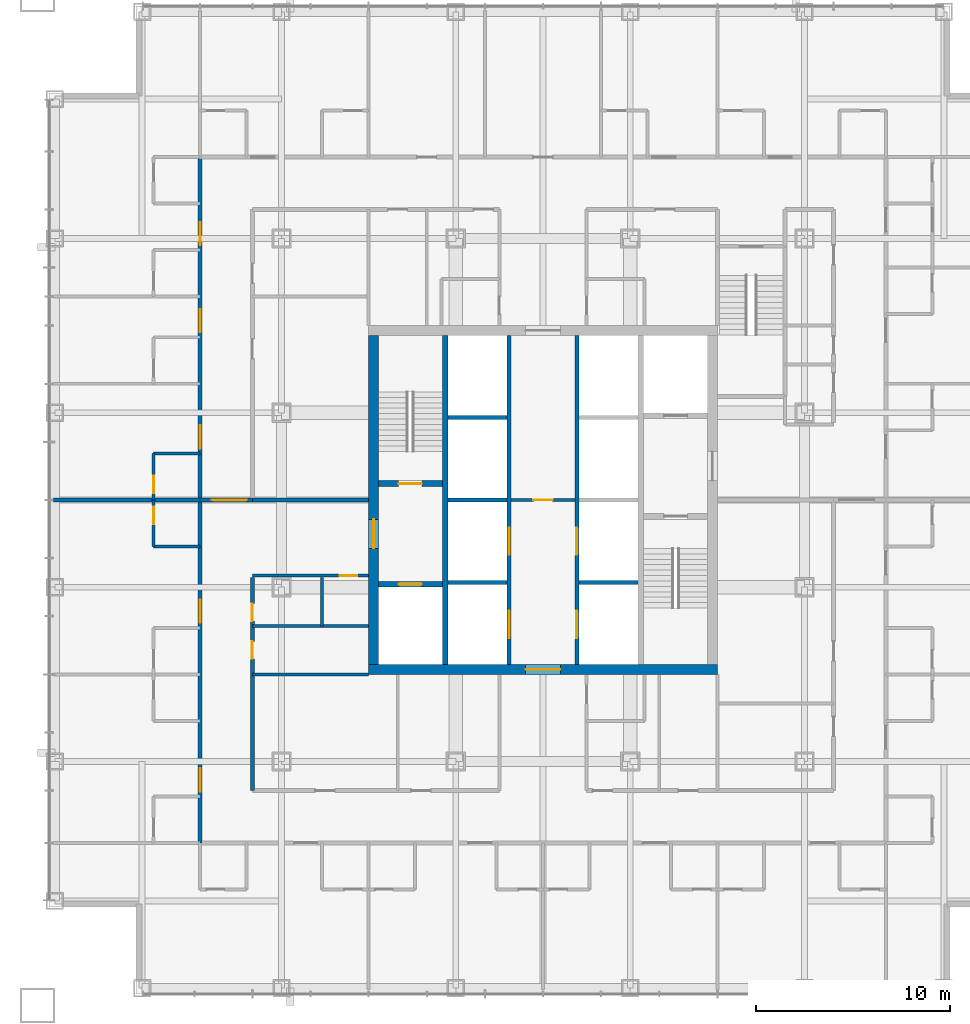
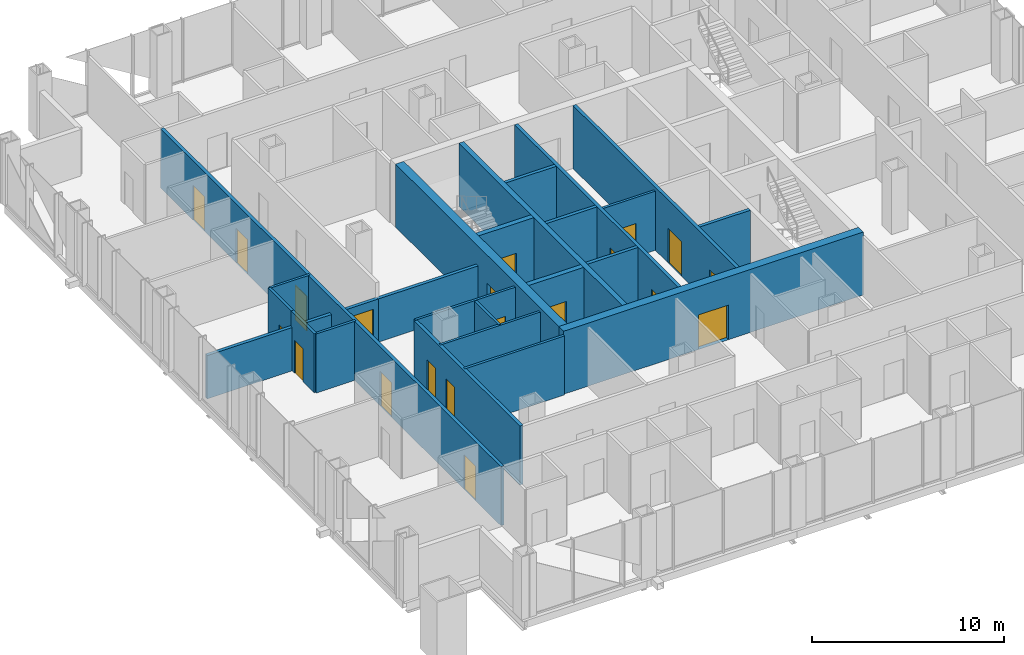
# One storey, part 8 of 13: 25 walls, 20 doors, 20 openings.
"""IFC4 building model written with IfcOpenShell, lengths in metres."""

from ifc_helpers import new_model, si_unit, direction, frame, frame_2d, origin, place, context, subcontext, project, spatial, rectangle, extrude, material, layer, layer_set, type_object, element, fill, save


model = new_model("IFC4")

# Units and contexts
model_context = context("Model", 3, precision=1e-05, world=origin(), true_north=direction((0.0, 1.0)))
body_context = subcontext(model_context, "Body", "Model", "MODEL_VIEW")
ifc_project = project(units=[si_unit("LENGTHUNIT", "METRE"), si_unit("AREAUNIT", "SQUARE_METRE"), si_unit("VOLUMEUNIT", "CUBIC_METRE"), si_unit("PLANEANGLEUNIT", "RADIAN"), si_unit("MASSUNIT", "GRAM", prefix="KILO")], contexts=[model_context])

# Site, building, storey
site_placement = place(None, origin())
site = spatial("IfcSite", under=ifc_project, at=site_placement, CompositionType="ELEMENT")
building_placement = place(site_placement, origin())
building = spatial("IfcBuilding", under=site, at=building_placement, Name="Malebo Sky Hospital", CompositionType="ELEMENT")
storey_placement = place(building_placement, frame((0.0, 0.0, 87.0)))
storey = spatial("IfcBuildingStorey", under=building, at=storey_placement, Name="L20", CompositionType="ELEMENT", Elevation=87.0)

# Wall, openings, doors
ifc_material_1 = material(Name="Concrete C80/95", Category="concrete")
ifc_layer_1 = layer(ifc_material_1, 0.199951171875)
ifc_layer_set_1 = layer_set([ifc_layer_1], Name="CORE INNER WALL 200")
wall_type_1 = type_object("IfcWallType", Name="CORE INNER WALL 200", PredefinedType="SHEAR", material=ifc_layer_set_1)
wall_1_placement = place(storey_placement, frame((58.25, 53.5, 0.0), z_axis=(0.0, 0.0, 1.0), x_axis=(0.0, 1.0, 0.0)))
wall_1 = element("IfcWall", 1, at=wall_1_placement, inside=storey, type_object=wall_type_1, Name="Core wall LW L20", PredefinedType="SHEAR", context=body_context, shape_type="SweptSolid", body=[
    extrude(rectangle(XDim=17.0, YDim=0.199951171875, at=frame_2d((8.5, 0.0))), origin(), (0.0, 0.0, 1.0), 4.0),
])
opening_1_placement = place(wall_1_placement, frame((1.375, 0.0, 0.0)))
opening_1 = element("IfcOpeningElement", 2, at=opening_1_placement, cuts=wall_1, Name="Opening LD1", PredefinedType="OPENING", context=body_context, shape_type="SweptSolid", body=[
    extrude(rectangle(XDim=1.39990234375, YDim=2.199951171875, at=frame_2d((0.699951171875, 1.10009765625))), frame((0.0, 0.10986328125, 0.0), z_axis=(0.0, -1.0, 0.0), x_axis=(1.0, 0.0, 0.0)), (0.0, 0.0, 1.0), 0.219970703125),
])
opening_2_placement = place(wall_1_placement, frame((5.675048828125, 0.0, 0.0)))
opening_2 = element("IfcOpeningElement", 3, at=opening_2_placement, cuts=wall_1, Name="Opening LD1", PredefinedType="OPENING", context=body_context, shape_type="SweptSolid", body=[
    extrude(rectangle(XDim=1.39990234375, YDim=2.199951171875, at=frame_2d((0.699951171875, 1.10009765625))), frame((0.0, 0.10986328125, 0.0), z_axis=(0.0, -1.0, 0.0), x_axis=(1.0, 0.0, 0.0)), (0.0, 0.0, 1.0), 0.219970703125),
])
ifc_material_2 = material(Name="Stainless steel sliding landing door", Category="steel")
door_type_1 = type_object("IfcDoorType", Name="LIFT LANDING DOOR 1400", OperationType="SLIDING_TO_LEFT", PredefinedType="DOOR", material=ifc_material_2)
door_1_placement = place(opening_1_placement, origin())
door_1 = element("IfcDoor", 4, at=door_1_placement, inside=storey, type_object=door_type_1, Name="Lift W1 landing door", OperationType="SLIDING_TO_LEFT", OverallHeight=2.199951171875, OverallWidth=1.39990234375, PredefinedType="DOOR", context=body_context, shape_type="SweptSolid", body=[
    extrude(rectangle(XDim=1.39990234375, YDim=2.199951171875, at=frame_2d((0.699951171875, 1.10009765625))), frame((0.0, 0.02490234375, 0.0), z_axis=(0.0, -1.0, 0.0), x_axis=(1.0, 0.0, 0.0)), (0.0, 0.0, 1.0), 0.050048828125),
])
fill(opening_1, door_1)
door_2_placement = place(opening_2_placement, origin())
door_2 = element("IfcDoor", 5, at=door_2_placement, inside=storey, type_object=door_type_1, Name="Lift W2 landing door", OperationType="SLIDING_TO_LEFT", OverallHeight=2.199951171875, OverallWidth=1.39990234375, PredefinedType="DOOR", context=body_context, shape_type="SweptSolid", body=[
    extrude(rectangle(XDim=1.39990234375, YDim=2.199951171875, at=frame_2d((0.699951171875, 1.10009765625))), frame((0.0, 0.02490234375, 0.0), z_axis=(0.0, -1.0, 0.0), x_axis=(1.0, 0.0, 0.0)), (0.0, 0.0, 1.0), 0.050048828125),
])
fill(opening_2, door_2)

wall_2_placement = place(storey_placement, frame((61.75, 53.5, 0.0), z_axis=(0.0, 0.0, 1.0), x_axis=(0.0, 1.0, 0.0)))
wall_2 = element("IfcWall", 6, at=wall_2_placement, inside=storey, type_object=wall_type_1, Name="Core wall LE L20", PredefinedType="SHEAR", context=body_context, shape_type="SweptSolid", body=[
    extrude(rectangle(XDim=17.0, YDim=0.199951171875, at=frame_2d((8.5, 0.0))), origin(), (0.0, 0.0, 1.0), 4.0),
])
opening_3_placement = place(wall_2_placement, frame((1.375, 0.0, 0.0)))
opening_3 = element("IfcOpeningElement", 7, at=opening_3_placement, cuts=wall_2, Name="Opening LD1", PredefinedType="OPENING", context=body_context, shape_type="SweptSolid", body=[
    extrude(rectangle(XDim=1.39990234375, YDim=2.199951171875, at=frame_2d((0.699951171875, 1.10009765625))), frame((0.0, 0.10986328125, 0.0), z_axis=(0.0, -1.0, 0.0), x_axis=(1.0, 0.0, 0.0)), (0.0, 0.0, 1.0), 0.219970703125),
])
opening_4_placement = place(wall_2_placement, frame((5.675048828125, 0.0, 0.0)))
opening_4 = element("IfcOpeningElement", 8, at=opening_4_placement, cuts=wall_2, Name="Opening LD1", PredefinedType="OPENING", context=body_context, shape_type="SweptSolid", body=[
    extrude(rectangle(XDim=1.39990234375, YDim=2.199951171875, at=frame_2d((0.699951171875, 1.10009765625))), frame((0.0, 0.10986328125, 0.0), z_axis=(0.0, -1.0, 0.0), x_axis=(1.0, 0.0, 0.0)), (0.0, 0.0, 1.0), 0.219970703125),
])
door_3_placement = place(opening_3_placement, origin())
door_3 = element("IfcDoor", 9, at=door_3_placement, inside=storey, type_object=door_type_1, Name="Lift E1 landing door", OperationType="SLIDING_TO_LEFT", OverallHeight=2.199951171875, OverallWidth=1.39990234375, PredefinedType="DOOR", context=body_context, shape_type="SweptSolid", body=[
    extrude(rectangle(XDim=1.39990234375, YDim=2.199951171875, at=frame_2d((0.699951171875, 1.10009765625))), frame((0.0, 0.02490234375, 0.0), z_axis=(0.0, -1.0, 0.0), x_axis=(1.0, 0.0, 0.0)), (0.0, 0.0, 1.0), 0.050048828125),
])
fill(opening_3, door_3)
door_4_placement = place(opening_4_placement, origin())
door_4 = element("IfcDoor", 10, at=door_4_placement, inside=storey, type_object=door_type_1, Name="Lift E2 landing door", OperationType="SLIDING_TO_LEFT", OverallHeight=2.199951171875, OverallWidth=1.39990234375, PredefinedType="DOOR", context=body_context, shape_type="SweptSolid", body=[
    extrude(rectangle(XDim=1.39990234375, YDim=2.199951171875, at=frame_2d((0.699951171875, 1.10009765625))), frame((0.0, 0.02490234375, 0.0), z_axis=(0.0, -1.0, 0.0), x_axis=(1.0, 0.0, 0.0)), (0.0, 0.0, 1.0), 0.050048828125),
])
fill(opening_4, door_4)

# Walls
for number, where, z_axis, x_axis, name in (
    (11, (55.10009765625, 57.75, 0.0), (0.0, 0.0, 1.0), (1.0, 0.0, 0.0), "Core wall SW0 L20"),
    (12, (61.85009765625, 57.75, 0.0), (0.0, 0.0, 1.0), (1.0, 0.0, 0.0), "Core wall SE0 L20"),
    (13, (55.10009765625, 62.0, 0.0), (0.0, 0.0, 1.0), (1.0, 0.0, 0.0), "Core wall SW1 L20"),
    (14, (55.10009765625, 66.25, 0.0), (0.0, 0.0, 1.0), (1.0, 0.0, 0.0), "Core wall SW2 L20"),
):
    element("IfcWall", number, at=place(storey_placement, frame(where, z_axis=z_axis, x_axis=x_axis)), inside=storey, type_object=wall_type_1, Name=name, PredefinedType="SHEAR", context=body_context, shape_type="SweptSolid", body=[
        extrude(rectangle(XDim=3.0498046875, YDim=0.199951171875, at=frame_2d((1.52490234375, 0.0))), origin(), (0.0, 0.0, 1.0), 4.0),
    ])
ifc_layer_2 = layer(ifc_material_1, 0.300048828125)
ifc_layer_set_2 = layer_set([ifc_layer_2], Name="CORE INNER WALL 300")
wall_type_2 = type_object("IfcWallType", Name="CORE INNER WALL 300", PredefinedType="SHEAR", material=ifc_layer_set_2)
wall_3_placement = place(storey_placement, frame((54.949951171875, 53.5, 0.0), z_axis=(0.0, 0.0, 1.0), x_axis=(0.0, 1.0, 0.0)))
element("IfcWall", 15, at=wall_3_placement, inside=storey, type_object=wall_type_2, Name="Core wall XW L20", PredefinedType="SHEAR", context=body_context, shape_type="SweptSolid", body=[
    extrude(rectangle(XDim=17.0, YDim=0.300048828125, at=frame_2d((8.5, 0.0))), origin(), (0.0, 0.0, 1.0), 4.0),
])

# Wall, opening, door
wall_4_placement = place(storey_placement, frame((51.5, 62.85009765625, 0.0), z_axis=(0.0, 0.0, 1.0), x_axis=(1.0, 0.0, 0.0)))
wall_4 = element("IfcWall", 16, at=wall_4_placement, inside=storey, type_object=wall_type_2, Name="Core wall W1 L20", PredefinedType="SHEAR", context=body_context, shape_type="SweptSolid", body=[
    extrude(rectangle(XDim=3.300048828125, YDim=0.300048828125, at=frame_2d((1.64990234375, 0.0))), origin(), (0.0, 0.0, 1.0), 4.0),
])
opening_5_placement = place(wall_4_placement, frame((1.050048828125, 0.0, 0.0)))
opening_5 = element("IfcOpeningElement", 17, at=opening_5_placement, cuts=wall_4, Name="Opening D08", PredefinedType="OPENING", context=body_context, shape_type="SweptSolid", body=[
    extrude(rectangle(XDim=1.199951171875, YDim=2.10009765625, at=frame_2d((0.60009765625, 1.050048828125))), frame((0.0, 0.159912109375, 0.0), z_axis=(0.0, -1.0, 0.0), x_axis=(1.0, 0.0, 0.0)), (0.0, 0.0, 1.0), 0.320068359375),
])
ifc_material_3 = material(Name="Hardwood-faced door leaf in steel frame", Category="steel")
door_type_2 = type_object("IfcDoorType", Name="STAIR DOOR 1200", OperationType="SINGLE_SWING_LEFT", PredefinedType="DOOR", material=ifc_material_3)
door_5_placement = place(opening_5_placement, origin())
door_5 = element("IfcDoor", 18, at=door_5_placement, inside=storey, type_object=door_type_2, Name="Stair S1 door", OperationType="SINGLE_SWING_LEFT", OverallHeight=2.10009765625, OverallWidth=1.199951171875, PredefinedType="DOOR", context=body_context, shape_type="SweptSolid", body=[
    extrude(rectangle(XDim=1.199951171875, YDim=2.10009765625, at=frame_2d((0.60009765625, 1.050048828125))), frame((0.0, 0.02490234375, 0.0), z_axis=(0.0, -1.0, 0.0), x_axis=(1.0, 0.0, 0.0)), (0.0, 0.0, 1.0), 0.050048828125),
])
fill(opening_5, door_5)

wall_5_placement = place(storey_placement, frame((51.5, 57.64990234375, 0.0), z_axis=(0.0, 0.0, 1.0), x_axis=(1.0, 0.0, 0.0)))
wall_5 = element("IfcWall", 19, at=wall_5_placement, inside=storey, type_object=wall_type_2, Name="Core wall W2 L20", PredefinedType="SHEAR", context=body_context, shape_type="SweptSolid", body=[
    extrude(rectangle(XDim=3.300048828125, YDim=0.300048828125, at=frame_2d((1.64990234375, 0.0))), origin(), (0.0, 0.0, 1.0), 4.0),
])
opening_6_placement = place(wall_5_placement, frame((1.050048828125, 0.0, 0.0)))
opening_6 = element("IfcOpeningElement", 20, at=opening_6_placement, cuts=wall_5, Name="Opening LD2", PredefinedType="OPENING", context=body_context, shape_type="SweptSolid", body=[
    extrude(rectangle(XDim=1.199951171875, YDim=2.199951171875, at=frame_2d((0.60009765625, 1.10009765625))), frame((0.0, 0.159912109375, 0.0), z_axis=(0.0, -1.0, 0.0), x_axis=(1.0, 0.0, 0.0)), (0.0, 0.0, 1.0), 0.320068359375),
])
door_type_3 = type_object("IfcDoorType", Name="FIRE-FIGHTING LIFT LANDING DOOR 1200", OperationType="SLIDING_TO_LEFT", PredefinedType="DOOR", material=ifc_material_2)
door_6_placement = place(opening_6_placement, origin())
door_6 = element("IfcDoor", 21, at=door_6_placement, inside=storey, type_object=door_type_3, Name="Lift FL1 landing door", OperationType="SLIDING_TO_LEFT", OverallHeight=2.199951171875, OverallWidth=1.199951171875, PredefinedType="DOOR", context=body_context, shape_type="SweptSolid", body=[
    extrude(rectangle(XDim=1.199951171875, YDim=2.199951171875, at=frame_2d((0.60009765625, 1.10009765625))), frame((0.0, 0.02490234375, 0.0), z_axis=(0.0, -1.0, 0.0), x_axis=(1.0, 0.0, 0.0)), (0.0, 0.0, 1.0), 0.050048828125),
])
fill(opening_6, door_6)

ifc_layer_3 = layer(ifc_material_1, 0.5)
ifc_layer_set_3 = layer_set([ifc_layer_3], Name="CORE WALL 500")
wall_type_3 = type_object("IfcWallType", Name="CORE WALL 500", PredefinedType="SHEAR", material=ifc_layer_set_3)
wall_6_placement = place(storey_placement, frame((51.0, 53.25, 0.0), z_axis=(0.0, 0.0, 1.0), x_axis=(1.0, 0.0, 0.0)))
wall_6 = element("IfcWall", 22, at=wall_6_placement, inside=storey, type_object=wall_type_3, Name="Core wall S L20", PredefinedType="SHEAR", context=body_context, shape_type="SweptSolid", body=[
    extrude(rectangle(XDim=18.0, YDim=0.5, at=frame_2d((9.0, 0.0))), origin(), (0.0, 0.0, 1.0), 4.0),
])
opening_7_placement = place(wall_6_placement, frame((8.10009765625, 0.0, 0.0)))
opening_7 = element("IfcOpeningElement", 23, at=opening_7_placement, cuts=wall_6, Name="Opening D06", PredefinedType="OPENING", context=body_context, shape_type="SweptSolid", body=[
    extrude(rectangle(XDim=1.800048828125, YDim=2.199951171875, at=frame_2d((0.89990234375, 1.10009765625))), frame((0.0, 0.260009765625, 0.0), z_axis=(0.0, -1.0, 0.0), x_axis=(1.0, 0.0, 0.0)), (0.0, 0.0, 1.0), 0.52001953125),
])
door_type_4 = type_object("IfcDoorType", Name="LOBBY DOOR PAIR 1800", OperationType="DOUBLE_DOOR_SINGLE_SWING", PredefinedType="DOOR", material=ifc_material_3)
door_7_placement = place(opening_7_placement, origin())
door_7 = element("IfcDoor", 24, at=door_7_placement, inside=storey, type_object=door_type_4, Name="Lift lobby door south", OperationType="DOUBLE_DOOR_SINGLE_SWING", OverallHeight=2.199951171875, OverallWidth=1.800048828125, PredefinedType="DOOR", context=body_context, shape_type="SweptSolid", body=[
    extrude(rectangle(XDim=1.800048828125, YDim=2.199951171875, at=frame_2d((0.89990234375, 1.10009765625))), frame((0.0, 0.02490234375, 0.0), z_axis=(0.0, -1.0, 0.0), x_axis=(1.0, 0.0, 0.0)), (0.0, 0.0, 1.0), 0.050048828125),
])
fill(opening_7, door_7)

wall_7_placement = place(storey_placement, frame((51.25, 53.5, 0.0), z_axis=(0.0, 0.0, 1.0), x_axis=(0.0, 1.0, 0.0)))
wall_7 = element("IfcWall", 25, at=wall_7_placement, inside=storey, type_object=wall_type_3, Name="Core wall W L20", PredefinedType="SHEAR", context=body_context, shape_type="SweptSolid", body=[
    extrude(rectangle(XDim=17.0, YDim=0.5, at=frame_2d((8.5, 0.0))), origin(), (0.0, 0.0, 1.0), 4.0),
])
opening_8_placement = place(wall_7_placement, frame((6.0, 0.0, 0.0)))
opening_8 = element("IfcOpeningElement", 26, at=opening_8_placement, cuts=wall_7, Name="Opening D07", PredefinedType="OPENING", context=body_context, shape_type="SweptSolid", body=[
    extrude(rectangle(XDim=1.5, YDim=2.199951171875, at=frame_2d((0.75, 1.10009765625))), frame((0.0, 0.260009765625, 0.0), z_axis=(0.0, -1.0, 0.0), x_axis=(1.0, 0.0, 0.0)), (0.0, 0.0, 1.0), 0.52001953125),
])
door_type_5 = type_object("IfcDoorType", Name="FIRE-FIGHTING LOBBY DOOR PAIR 1500", OperationType="DOUBLE_DOOR_SINGLE_SWING", PredefinedType="DOOR", material=ifc_material_3)
door_8_placement = place(opening_8_placement, origin())
door_8 = element("IfcDoor", 27, at=door_8_placement, inside=storey, type_object=door_type_5, Name="Fire-fighting lobby door west", OperationType="DOUBLE_DOOR_SINGLE_SWING", OverallHeight=2.199951171875, OverallWidth=1.5, PredefinedType="DOOR", context=body_context, shape_type="SweptSolid", body=[
    extrude(rectangle(XDim=1.5, YDim=2.199951171875, at=frame_2d((0.75, 1.10009765625))), frame((0.0, 0.02490234375, 0.0), z_axis=(0.0, -1.0, 0.0), x_axis=(1.0, 0.0, 0.0)), (0.0, 0.0, 1.0), 0.050048828125),
])
fill(opening_8, door_8)

# Wall, openings, doors
ifc_material_4 = material(Name="Gypsum board on steel studs", Category="steel")
ifc_layer_4 = layer(ifc_material_4, 0.199951171875)
ifc_layer_set_4 = layer_set([ifc_layer_4], Name="CORRIDOR WALL 200")
wall_type_4 = type_object("IfcWallType", Name="CORRIDOR WALL 200", PredefinedType="PARTITIONING", material=ifc_layer_set_4)
wall_8_placement = place(storey_placement, frame((42.300048828125, 44.300048828125, 0.0), z_axis=(0.0, 0.0, 1.0), x_axis=(0.0, 1.0, 0.0)))
wall_8 = element("IfcWall", 28, at=wall_8_placement, inside=storey, type_object=wall_type_4, Name="Corridor Wall 200 WCO", PredefinedType="PARTITIONING", context=body_context, shape_type="SweptSolid", body=[
    extrude(rectangle(XDim=35.39990234375, YDim=0.199951171875, at=frame_2d((17.699951171875, 0.0))), origin(), (0.0, 0.0, 1.0), 3.75),
])
opening_9_placement = place(wall_8_placement, frame((2.64990234375, 0.0, 0.0)))
opening_9 = element("IfcOpeningElement", 29, at=opening_9_placement, cuts=wall_8, Name="Opening D01", PredefinedType="OPENING", context=body_context, shape_type="SweptSolid", body=[
    extrude(rectangle(XDim=1.199951171875, YDim=2.199951171875, at=frame_2d((0.60009765625, 1.10009765625))), frame((0.0, 0.10986328125, 0.0), z_axis=(0.0, -1.0, 0.0), x_axis=(1.0, 0.0, 0.0)), (0.0, 0.0, 1.0), 0.219970703125),
])
opening_10_placement = place(wall_8_placement, frame((11.35009765625, 0.0, 0.0)))
opening_10 = element("IfcOpeningElement", 30, at=opening_10_placement, cuts=wall_8, Name="Opening D01", PredefinedType="OPENING", context=body_context, shape_type="SweptSolid", body=[
    extrude(rectangle(XDim=1.199951171875, YDim=2.199951171875, at=frame_2d((0.60009765625, 1.10009765625))), frame((0.0, 0.10986328125, 0.0), z_axis=(0.0, -1.0, 0.0), x_axis=(1.0, 0.0, 0.0)), (0.0, 0.0, 1.0), 0.219970703125),
])
opening_11_placement = place(wall_8_placement, frame((20.35009765625, 0.0, 0.0)))
opening_11 = element("IfcOpeningElement", 31, at=opening_11_placement, cuts=wall_8, Name="Opening D01", PredefinedType="OPENING", context=body_context, shape_type="SweptSolid", body=[
    extrude(rectangle(XDim=1.199951171875, YDim=2.199951171875, at=frame_2d((0.60009765625, 1.10009765625))), frame((0.0, 0.10986328125, 0.0), z_axis=(0.0, -1.0, 0.0), x_axis=(1.0, 0.0, 0.0)), (0.0, 0.0, 1.0), 0.219970703125),
])
opening_12_placement = place(wall_8_placement, frame((26.35009765625, 0.0, 0.0)))
opening_12 = element("IfcOpeningElement", 32, at=opening_12_placement, cuts=wall_8, Name="Opening D01", PredefinedType="OPENING", context=body_context, shape_type="SweptSolid", body=[
    extrude(rectangle(XDim=1.199951171875, YDim=2.199951171875, at=frame_2d((0.60009765625, 1.10009765625))), frame((0.0, 0.10986328125, 0.0), z_axis=(0.0, -1.0, 0.0), x_axis=(1.0, 0.0, 0.0)), (0.0, 0.0, 1.0), 0.219970703125),
])
opening_13_placement = place(wall_8_placement, frame((30.85009765625, 0.0, 0.0)))
opening_13 = element("IfcOpeningElement", 33, at=opening_13_placement, cuts=wall_8, Name="Opening D01", PredefinedType="OPENING", context=body_context, shape_type="SweptSolid", body=[
    extrude(rectangle(XDim=1.199951171875, YDim=2.199951171875, at=frame_2d((0.60009765625, 1.10009765625))), frame((0.0, 0.10986328125, 0.0), z_axis=(0.0, -1.0, 0.0), x_axis=(1.0, 0.0, 0.0)), (0.0, 0.0, 1.0), 0.219970703125),
])
door_type_6 = type_object("IfcDoorType", Name="BED DOOR 1200", OperationType="SINGLE_SWING_LEFT", PredefinedType="DOOR", material=ifc_material_3)
door_9_placement = place(opening_9_placement, origin())
door_9 = element("IfcDoor", 34, at=door_9_placement, inside=storey, type_object=door_type_6, Name="Four-bed bay door", OperationType="SINGLE_SWING_LEFT", OverallHeight=2.199951171875, OverallWidth=1.199951171875, PredefinedType="DOOR", context=body_context, shape_type="SweptSolid", body=[
    extrude(rectangle(XDim=1.199951171875, YDim=2.199951171875, at=frame_2d((0.60009765625, 1.10009765625))), frame((0.0, 0.02490234375, 0.0), z_axis=(0.0, -1.0, 0.0), x_axis=(1.0, 0.0, 0.0)), (0.0, 0.0, 1.0), 0.050048828125),
])
fill(opening_9, door_9)
door_10_placement = place(opening_10_placement, origin())
door_10 = element("IfcDoor", 35, at=door_10_placement, inside=storey, type_object=door_type_6, Name="Four-bed bay door", OperationType="SINGLE_SWING_LEFT", OverallHeight=2.199951171875, OverallWidth=1.199951171875, PredefinedType="DOOR", context=body_context, shape_type="SweptSolid", body=[
    extrude(rectangle(XDim=1.199951171875, YDim=2.199951171875, at=frame_2d((0.60009765625, 1.10009765625))), frame((0.0, 0.02490234375, 0.0), z_axis=(0.0, -1.0, 0.0), x_axis=(1.0, 0.0, 0.0)), (0.0, 0.0, 1.0), 0.050048828125),
])
fill(opening_10, door_10)
door_11_placement = place(opening_11_placement, origin())
door_11 = element("IfcDoor", 36, at=door_11_placement, inside=storey, type_object=door_type_6, Name="Single bed room door", OperationType="SINGLE_SWING_LEFT", OverallHeight=2.199951171875, OverallWidth=1.199951171875, PredefinedType="DOOR", context=body_context, shape_type="SweptSolid", body=[
    extrude(rectangle(XDim=1.199951171875, YDim=2.199951171875, at=frame_2d((0.60009765625, 1.10009765625))), frame((0.0, 0.02490234375, 0.0), z_axis=(0.0, -1.0, 0.0), x_axis=(1.0, 0.0, 0.0)), (0.0, 0.0, 1.0), 0.050048828125),
])
fill(opening_11, door_11)
door_12_placement = place(opening_12_placement, origin())
door_12 = element("IfcDoor", 37, at=door_12_placement, inside=storey, type_object=door_type_6, Name="Single bed room door", OperationType="SINGLE_SWING_LEFT", OverallHeight=2.199951171875, OverallWidth=1.199951171875, PredefinedType="DOOR", context=body_context, shape_type="SweptSolid", body=[
    extrude(rectangle(XDim=1.199951171875, YDim=2.199951171875, at=frame_2d((0.60009765625, 1.10009765625))), frame((0.0, 0.02490234375, 0.0), z_axis=(0.0, -1.0, 0.0), x_axis=(1.0, 0.0, 0.0)), (0.0, 0.0, 1.0), 0.050048828125),
])
fill(opening_12, door_12)
door_13_placement = place(opening_13_placement, origin())
door_13 = element("IfcDoor", 38, at=door_13_placement, inside=storey, type_object=door_type_6, Name="Four-bed bay door", OperationType="SINGLE_SWING_LEFT", OverallHeight=2.199951171875, OverallWidth=1.199951171875, PredefinedType="DOOR", context=body_context, shape_type="SweptSolid", body=[
    extrude(rectangle(XDim=1.199951171875, YDim=2.199951171875, at=frame_2d((0.60009765625, 1.10009765625))), frame((0.0, 0.02490234375, 0.0), z_axis=(0.0, -1.0, 0.0), x_axis=(1.0, 0.0, 0.0)), (0.0, 0.0, 1.0), 0.050048828125),
])
fill(opening_13, door_13)

wall_9_placement = place(storey_placement, frame((45.0, 47.0, 0.0), z_axis=(0.0, 0.0, 1.0), x_axis=(0.0, 1.0, 0.0)))
wall_9 = element("IfcWall", 39, at=wall_9_placement, inside=storey, type_object=wall_type_4, Name="Corridor Wall 200 WCI1", PredefinedType="PARTITIONING", context=body_context, shape_type="SweptSolid", body=[
    extrude(rectangle(XDim=11.0, YDim=0.199951171875, at=frame_2d((5.5, 0.0))), origin(), (0.0, 0.0, 1.0), 3.75),
])
opening_14_placement = place(wall_9_placement, frame((6.800048828125, 0.0, 0.0)))
opening_14 = element("IfcOpeningElement", 40, at=opening_14_placement, cuts=wall_9, Name="Opening D04", PredefinedType="OPENING", context=body_context, shape_type="SweptSolid", body=[
    extrude(rectangle(XDim=0.89990234375, YDim=2.10009765625, at=frame_2d((0.449951171875, 1.050048828125))), frame((0.0, 0.10986328125, 0.0), z_axis=(0.0, -1.0, 0.0), x_axis=(1.0, 0.0, 0.0)), (0.0, 0.0, 1.0), 0.219970703125),
])
opening_15_placement = place(wall_9_placement, frame((8.75, 0.0, 0.0)))
opening_15 = element("IfcOpeningElement", 41, at=opening_15_placement, cuts=wall_9, Name="Opening D04", PredefinedType="OPENING", context=body_context, shape_type="SweptSolid", body=[
    extrude(rectangle(XDim=0.89990234375, YDim=2.10009765625, at=frame_2d((0.449951171875, 1.050048828125))), frame((0.0, 0.10986328125, 0.0), z_axis=(0.0, -1.0, 0.0), x_axis=(1.0, 0.0, 0.0)), (0.0, 0.0, 1.0), 0.219970703125),
])
door_type_7 = type_object("IfcDoorType", Name="ROOM DOOR 900", OperationType="SINGLE_SWING_LEFT", PredefinedType="DOOR", material=ifc_material_3)
door_14_placement = place(opening_14_placement, origin())
door_14 = element("IfcDoor", 42, at=door_14_placement, inside=storey, type_object=door_type_7, Name="Medication room door", OperationType="SINGLE_SWING_LEFT", OverallHeight=2.10009765625, OverallWidth=0.89990234375, PredefinedType="DOOR", context=body_context, shape_type="SweptSolid", body=[
    extrude(rectangle(XDim=0.89990234375, YDim=2.10009765625, at=frame_2d((0.449951171875, 1.050048828125))), frame((0.0, 0.02490234375, 0.0), z_axis=(0.0, -1.0, 0.0), x_axis=(1.0, 0.0, 0.0)), (0.0, 0.0, 1.0), 0.050048828125),
])
fill(opening_14, door_14)
door_15_placement = place(opening_15_placement, origin())
door_15 = element("IfcDoor", 43, at=door_15_placement, inside=storey, type_object=door_type_7, Name="Assisted bathroom door", OperationType="SINGLE_SWING_LEFT", OverallHeight=2.10009765625, OverallWidth=0.89990234375, PredefinedType="DOOR", context=body_context, shape_type="SweptSolid", body=[
    extrude(rectangle(XDim=0.89990234375, YDim=2.10009765625, at=frame_2d((0.449951171875, 1.050048828125))), frame((0.0, 0.02490234375, 0.0), z_axis=(0.0, -1.0, 0.0), x_axis=(1.0, 0.0, 0.0)), (0.0, 0.0, 1.0), 0.050048828125),
])
fill(opening_15, door_15)

# Wall, opening, door
ifc_layer_5 = layer(ifc_material_4, 0.14990234375)
ifc_layer_set_5 = layer_set([ifc_layer_5], Name="PARTITION 150")
wall_type_5 = type_object("IfcWallType", Name="PARTITION 150", PredefinedType="PARTITIONING", material=ifc_layer_set_5)
wall_10_placement = place(storey_placement, frame((39.89990234375, 59.60009765625, 0.0), z_axis=(0.0, 0.0, 1.0), x_axis=(0.0, 1.0, 0.0)))
wall_10 = element("IfcWall", 44, at=wall_10_placement, inside=storey, type_object=wall_type_5, Name="Partition 150 WG1F", PredefinedType="PARTITIONING", context=body_context, shape_type="SweptSolid", body=[
    extrude(rectangle(XDim=2.39990234375, YDim=0.14990234375, at=frame_2d((1.199951171875, 0.0))), origin(), (0.0, 0.0, 1.0), 3.75),
])
opening_16_placement = place(wall_10_placement, frame((1.14990234375, 0.0, 0.0)))
opening_16 = element("IfcOpeningElement", 45, at=opening_16_placement, cuts=wall_10, Name="Opening D02", PredefinedType="OPENING", context=body_context, shape_type="SweptSolid", body=[
    extrude(rectangle(XDim=0.89990234375, YDim=2.10009765625, at=frame_2d((0.449951171875, 1.050048828125))), frame((0.0, 0.0849609375, 0.0), z_axis=(0.0, -1.0, 0.0), x_axis=(1.0, 0.0, 0.0)), (0.0, 0.0, 1.0), 0.169921875),
])
door_type_8 = type_object("IfcDoorType", Name="EN-SUITE DOOR 900", OperationType="SINGLE_SWING_LEFT", PredefinedType="DOOR", material=ifc_material_3)
door_16_placement = place(opening_16_placement, origin())
door_16 = element("IfcDoor", 46, at=door_16_placement, inside=storey, type_object=door_type_8, Name="En-suite door", OperationType="SINGLE_SWING_RIGHT", OverallHeight=2.10009765625, OverallWidth=0.89990234375, PredefinedType="DOOR", context=body_context, shape_type="SweptSolid", body=[
    extrude(rectangle(XDim=0.89990234375, YDim=2.10009765625, at=frame_2d((0.449951171875, 1.050048828125))), frame((0.0, 0.02490234375, 0.0), z_axis=(0.0, -1.0, 0.0), x_axis=(1.0, 0.0, 0.0)), (0.0, 0.0, 1.0), 0.050048828125),
])
fill(opening_16, door_16)

# Wall
wall_11_placement = place(storey_placement, frame((42.300048828125, 59.60009765625, 0.0), z_axis=(0.0, 0.0, 1.0), x_axis=(-1.0, 0.0, 0.0)))
element("IfcWall", 47, at=wall_11_placement, inside=storey, type_object=wall_type_5, Name="Partition 150 WG1S", PredefinedType="PARTITIONING", context=body_context, shape_type="SweptSolid", body=[
    extrude(rectangle(XDim=2.400146484375, YDim=0.14990234375, at=frame_2d((1.2001953125, 0.0))), origin(), (0.0, 0.0, 1.0), 3.75),
])

# Wall, opening, door
wall_12_placement = place(storey_placement, frame((39.89990234375, 62.0, 0.0), z_axis=(0.0, 0.0, 1.0), x_axis=(0.0, 1.0, 0.0)))
wall_12 = element("IfcWall", 48, at=wall_12_placement, inside=storey, type_object=wall_type_5, Name="Partition 150 WE2F", PredefinedType="PARTITIONING", context=body_context, shape_type="SweptSolid", body=[
    extrude(rectangle(XDim=2.39990234375, YDim=0.14990234375, at=frame_2d((1.199951171875, 0.0))), origin(), (0.0, 0.0, 1.0), 3.75),
])
opening_17_placement = place(wall_12_placement, frame((0.35009765625, 0.0, 0.0)))
opening_17 = element("IfcOpeningElement", 49, at=opening_17_placement, cuts=wall_12, Name="Opening D02", PredefinedType="OPENING", context=body_context, shape_type="SweptSolid", body=[
    extrude(rectangle(XDim=0.89990234375, YDim=2.10009765625, at=frame_2d((0.449951171875, 1.050048828125))), frame((0.0, 0.0849609375, 0.0), z_axis=(0.0, -1.0, 0.0), x_axis=(1.0, 0.0, 0.0)), (0.0, 0.0, 1.0), 0.169921875),
])
door_17_placement = place(opening_17_placement, origin())
door_17 = element("IfcDoor", 50, at=door_17_placement, inside=storey, type_object=door_type_8, Name="En-suite door", OperationType="SINGLE_SWING_LEFT", OverallHeight=2.10009765625, OverallWidth=0.89990234375, PredefinedType="DOOR", context=body_context, shape_type="SweptSolid", body=[
    extrude(rectangle(XDim=0.89990234375, YDim=2.10009765625, at=frame_2d((0.449951171875, 1.050048828125))), frame((0.0, 0.02490234375, 0.0), z_axis=(0.0, -1.0, 0.0), x_axis=(1.0, 0.0, 0.0)), (0.0, 0.0, 1.0), 0.050048828125),
])
fill(opening_17, door_17)

# Walls
wall_13_placement = place(storey_placement, frame((42.300048828125, 64.39990234375, 0.0), z_axis=(0.0, 0.0, 1.0), x_axis=(-1.0, 0.0, 0.0)))
element("IfcWall", 51, at=wall_13_placement, inside=storey, type_object=wall_type_5, Name="Partition 150 WE2S", PredefinedType="PARTITIONING", context=body_context, shape_type="SweptSolid", body=[
    extrude(rectangle(XDim=2.400146484375, YDim=0.14990234375, at=frame_2d((1.2001953125, 0.0))), origin(), (0.0, 0.0, 1.0), 3.75),
])
wall_14_placement = place(storey_placement, frame((51.0, 53.0, 0.0), z_axis=(0.0, 0.0, 1.0), x_axis=(-1.0, 0.0, 0.0)))
element("IfcWall", 52, at=wall_14_placement, inside=storey, type_object=wall_type_5, Name="Partition 150 WSP0", PredefinedType="PARTITIONING", context=body_context, shape_type="SweptSolid", body=[
    extrude(rectangle(XDim=6.0, YDim=0.14990234375, at=frame_2d((3.0, 0.0))), origin(), (0.0, 0.0, 1.0), 3.75),
])

# Wall, opening, door
wall_15_placement = place(storey_placement, frame((51.0, 58.10009765625, 0.0), z_axis=(0.0, 0.0, 1.0), x_axis=(-1.0, 0.0, 0.0)))
wall_15 = element("IfcWall", 53, at=wall_15_placement, inside=storey, type_object=wall_type_5, Name="Partition 150 WSPA", PredefinedType="PARTITIONING", context=body_context, shape_type="SweptSolid", body=[
    extrude(rectangle(XDim=6.0, YDim=0.14990234375, at=frame_2d((3.0, 0.0))), origin(), (0.0, 0.0, 1.0), 3.75),
])
opening_18_placement = place(wall_15_placement, frame((0.60009765625, 0.0, 0.0)))
opening_18 = element("IfcOpeningElement", 54, at=opening_18_placement, cuts=wall_15, Name="Opening D04", PredefinedType="OPENING", context=body_context, shape_type="SweptSolid", body=[
    extrude(rectangle(XDim=0.89990234375, YDim=2.10009765625, at=frame_2d((0.449951171875, 1.050048828125))), frame((0.0, 0.0849609375, 0.0), z_axis=(0.0, -1.0, 0.0), x_axis=(1.0, 0.0, 0.0)), (0.0, 0.0, 1.0), 0.169921875),
])
door_18_placement = place(opening_18_placement, origin())
door_18 = element("IfcDoor", 55, at=door_18_placement, inside=storey, type_object=door_type_7, Name="Cleaner's room door", OperationType="SINGLE_SWING_LEFT", OverallHeight=2.10009765625, OverallWidth=0.89990234375, PredefinedType="DOOR", context=body_context, shape_type="SweptSolid", body=[
    extrude(rectangle(XDim=0.89990234375, YDim=2.10009765625, at=frame_2d((0.449951171875, 1.050048828125))), frame((0.0, 0.02490234375, 0.0), z_axis=(0.0, -1.0, 0.0), x_axis=(1.0, 0.0, 0.0)), (0.0, 0.0, 1.0), 0.050048828125),
])
fill(opening_18, door_18)

# Walls
wall_16_placement = place(storey_placement, frame((51.0, 55.5, 0.0), z_axis=(0.0, 0.0, 1.0), x_axis=(-1.0, 0.0, 0.0)))
element("IfcWall", 56, at=wall_16_placement, inside=storey, type_object=wall_type_5, Name="Partition 150 WSP-6.5", PredefinedType="PARTITIONING", context=body_context, shape_type="SweptSolid", body=[
    extrude(rectangle(XDim=6.0, YDim=0.14990234375, at=frame_2d((3.0, 0.0))), origin(), (0.0, 0.0, 1.0), 3.75),
])
wall_17_placement = place(storey_placement, frame((48.60009765625, 55.5, 0.0), z_axis=(0.0, 0.0, 1.0), x_axis=(0.0, 1.0, 0.0)))
element("IfcWall", 57, at=wall_17_placement, inside=storey, type_object=wall_type_5, Name="Partition 150 WSX1", PredefinedType="PARTITIONING", context=body_context, shape_type="SweptSolid", body=[
    extrude(rectangle(XDim=2.5, YDim=0.14990234375, at=frame_2d((1.25, 0.0))), origin(), (0.0, 0.0, 1.0), 3.75),
])

# Wall, opening, door
wall_18_placement = place(storey_placement, frame((58.35009765625, 62.0, 0.0), z_axis=(0.0, 0.0, 1.0), x_axis=(1.0, 0.0, 0.0)))
wall_18 = element("IfcWall", 58, at=wall_18_placement, inside=storey, type_object=wall_type_5, Name="Partition 150 LBN", PredefinedType="PARTITIONING", context=body_context, shape_type="SweptSolid", body=[
    extrude(rectangle(XDim=3.2998046875, YDim=0.14990234375, at=frame_2d((1.64990234375, 0.0))), origin(), (0.0, 0.0, 1.0), 3.75),
])
opening_19_placement = place(wall_18_placement, frame((1.14990234375, 0.0, 0.0)))
opening_19 = element("IfcOpeningElement", 59, at=opening_19_placement, cuts=wall_18, Name="Opening D03", PredefinedType="OPENING", context=body_context, shape_type="SweptSolid", body=[
    extrude(rectangle(XDim=1.0, YDim=2.10009765625, at=frame_2d((0.5, 1.050048828125))), frame((0.0, 0.0849609375, 0.0), z_axis=(0.0, -1.0, 0.0), x_axis=(1.0, 0.0, 0.0)), (0.0, 0.0, 1.0), 0.169921875),
])
door_type_9 = type_object("IfcDoorType", Name="ROOM DOOR 1000", OperationType="SINGLE_SWING_LEFT", PredefinedType="DOOR", material=ifc_material_3)
door_19_placement = place(opening_19_placement, origin())
door_19 = element("IfcDoor", 60, at=door_19_placement, inside=storey, type_object=door_type_9, Name="Linen store door", OperationType="SINGLE_SWING_LEFT", OverallHeight=2.10009765625, OverallWidth=1.0, PredefinedType="DOOR", context=body_context, shape_type="SweptSolid", body=[
    extrude(rectangle(XDim=1.0, YDim=2.10009765625, at=frame_2d((0.5, 1.050048828125))), frame((0.0, 0.02490234375, 0.0), z_axis=(0.0, -1.0, 0.0), x_axis=(1.0, 0.0, 0.0)), (0.0, 0.0, 1.0), 0.050048828125),
])
fill(opening_19, door_19)

# Walls
ifc_material_5 = material(Name="Concrete blockwork", Category="masonry")
ifc_layer_6 = layer(ifc_material_5, 0.199951171875)
ifc_layer_set_6 = layer_set([ifc_layer_6], Name="SMOKE BARRIER WALL 200")
wall_type_6 = type_object("IfcWallType", Name="SMOKE BARRIER WALL 200", PredefinedType="SOLIDWALL", material=ifc_layer_set_6)
wall_19_placement = place(storey_placement, frame((42.300048828125, 62.0, 0.0), z_axis=(0.0, 0.0, 1.0), x_axis=(-1.0, 0.0, 0.0)))
element("IfcWall", 61, at=wall_19_placement, inside=storey, type_object=wall_type_6, Name="Smoke Barrier Wall 200 WP+0.0", PredefinedType="SOLIDWALL", context=body_context, shape_type="SweptSolid", body=[
    extrude(rectangle(XDim=7.574951171875, YDim=0.199951171875, at=frame_2d((3.78759765625, 0.0))), origin(), (0.0, 0.0, 1.0), 2.75),
])
wall_20_placement = place(storey_placement, frame((51.0, 62.0, 0.0), z_axis=(0.0, 0.0, 1.0), x_axis=(-1.0, 0.0, 0.0)))
element("IfcWall", 62, at=wall_20_placement, inside=storey, type_object=wall_type_6, Name="Smoke Barrier Wall 200 WSPB", PredefinedType="SOLIDWALL", context=body_context, shape_type="SweptSolid", body=[
    extrude(rectangle(XDim=6.0, YDim=0.199951171875, at=frame_2d((3.0, 0.0))), origin(), (0.0, 0.0, 1.0), 2.75),
])

# Wall, opening, door
wall_21_placement = place(storey_placement, frame((45.0, 62.0, 0.0), z_axis=(0.0, 0.0, 1.0), x_axis=(-1.0, 0.0, 0.0)))
wall_21 = element("IfcWall", 63, at=wall_21_placement, inside=storey, type_object=wall_type_6, Name="Smoke Barrier Wall 200 WSB", PredefinedType="SOLIDWALL", context=body_context, shape_type="SweptSolid", body=[
    extrude(rectangle(XDim=2.699951171875, YDim=0.199951171875, at=frame_2d((1.35009765625, 0.0))), origin(), (0.0, 0.0, 1.0), 2.75),
])
opening_20_placement = place(wall_21_placement, frame((0.300048828125, 0.0, 0.0)))
opening_20 = element("IfcOpeningElement", 64, at=opening_20_placement, cuts=wall_21, Name="Opening D05", PredefinedType="OPENING", context=body_context, shape_type="SweptSolid", body=[
    extrude(rectangle(XDim=1.800048828125, YDim=2.199951171875, at=frame_2d((0.89990234375, 1.10009765625))), frame((0.0, 0.10986328125, 0.0), z_axis=(0.0, -1.0, 0.0), x_axis=(1.0, 0.0, 0.0)), (0.0, 0.0, 1.0), 0.219970703125),
])
door_type_10 = type_object("IfcDoorType", Name="SMOKE DOOR PAIR 1800", OperationType="DOUBLE_DOOR_DOUBLE_SWING", PredefinedType="DOOR", material=ifc_material_3)
door_20_placement = place(opening_20_placement, origin())
door_20 = element("IfcDoor", 65, at=door_20_placement, inside=storey, type_object=door_type_10, Name="Smoke compartment door pair", OperationType="DOUBLE_DOOR_DOUBLE_SWING", OverallHeight=2.199951171875, OverallWidth=1.800048828125, PredefinedType="DOOR", context=body_context, shape_type="SweptSolid", body=[
    extrude(rectangle(XDim=1.800048828125, YDim=2.199951171875, at=frame_2d((0.89990234375, 1.10009765625))), frame((0.0, 0.02490234375, 0.0), z_axis=(0.0, -1.0, 0.0), x_axis=(1.0, 0.0, 0.0)), (0.0, 0.0, 1.0), 0.050048828125),
])
fill(opening_20, door_20)

save(model, "model.ifc")
